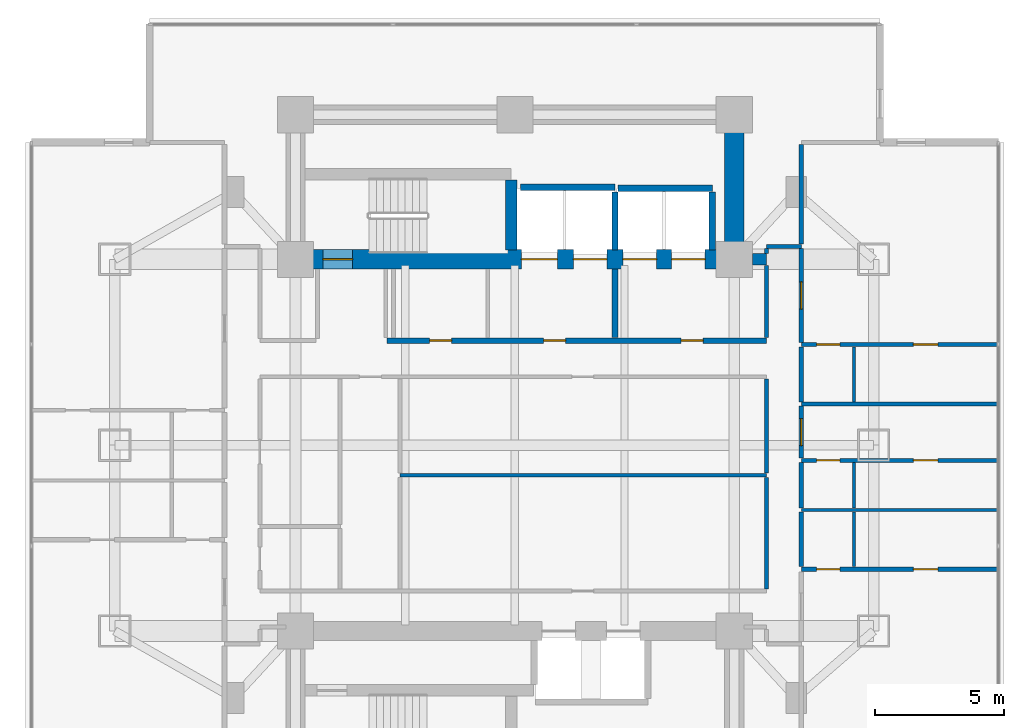
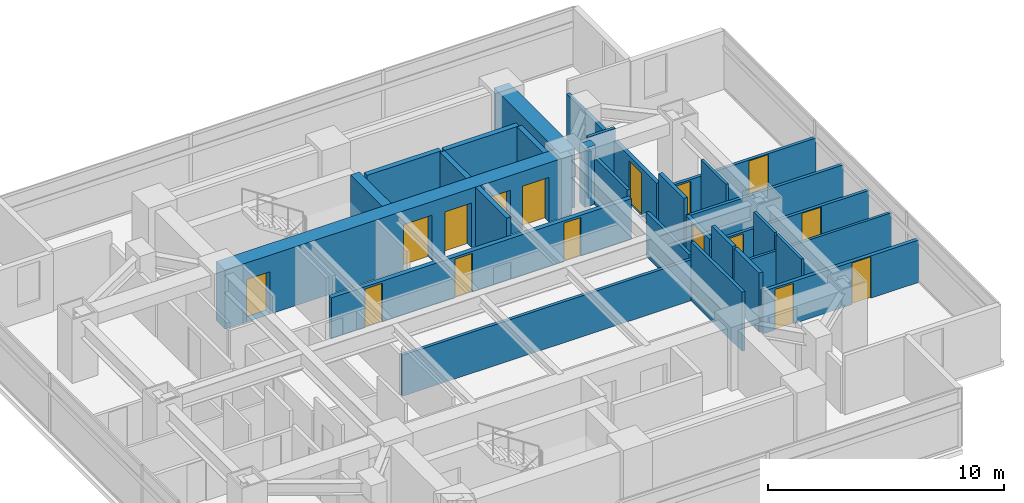
# One storey, part 18 of 25: 30 walls, 16 doors, 16 openings.
"""IFC4 building model written with IfcOpenShell, lengths in metres."""

from ifc_helpers import new_model, si_unit, direction, frame, frame_2d, origin, place, context, subcontext, project, spatial, rectangle, extrude, material, layer, layer_set, type_object, element, fill, save


model = new_model("IFC4")

# Units and contexts
model_context = context("Model", 3, precision=1e-05, world=origin(), true_north=direction((0.0, 1.0)))
body_context = subcontext(model_context, "Body", "Model", "MODEL_VIEW")
ifc_project = project(units=[si_unit("LENGTHUNIT", "METRE"), si_unit("AREAUNIT", "SQUARE_METRE"), si_unit("VOLUMEUNIT", "CUBIC_METRE"), si_unit("PLANEANGLEUNIT", "RADIAN"), si_unit("MASSUNIT", "GRAM", prefix="KILO")], contexts=[model_context])

# Site, building, storey
site_placement = place(None, origin())
site = spatial("IfcSite", under=ifc_project, at=site_placement, CompositionType="ELEMENT")
building_placement = place(site_placement, origin())
building = spatial("IfcBuilding", under=site, at=building_placement, Name="Mirazonda Arch Towers", CompositionType="ELEMENT")
storey_placement = place(building_placement, frame((0.0, 0.0, 35.60009765625)))
storey = spatial("IfcBuildingStorey", under=building, at=storey_placement, Name="L09", CompositionType="ELEMENT", Elevation=35.60009765625)

# Walls
ifc_material_1 = material(Name="Concrete C50/60", Category="concrete")
ifc_layer_1 = layer(ifc_material_1, 0.449951171875, Name="WALL-CORE-450")
ifc_layer_set_1 = layer_set([ifc_layer_1], Name="Concrete C50/60")
wall_type_1 = type_object("IfcWallType", Name="WALL-CORE-450", PredefinedType="SHEAR", material=ifc_layer_set_1)
wall_1_placement = place(storey_placement, frame((85.715087890625, 35.199951171875, 0.0), z_axis=(0.0, 0.0, 1.0), x_axis=(1.0, 0.0, 0.0)))
element("IfcWall", 1, at=wall_1_placement, inside=storey, type_object=wall_type_1, Name="L09 Stair Core Shear Wall 051", PredefinedType="SHEAR", context=body_context, shape_type="SweptSolid", body=[
    extrude(rectangle(XDim=0.534912109375, YDim=0.449951171875, at=frame_2d((0.267578125, 0.0))), origin(), (0.0, 0.0, 1.0), 3.059814453125),
])
wall_2_placement = place(storey_placement, frame((76.360107421875, 35.570068359375, 0.0), z_axis=(0.0, 0.0, 1.0), x_axis=(0.0, 1.0, 0.0)))
element("IfcWall", 2, at=wall_2_placement, inside=storey, type_object=wall_type_1, Name="L09 Stair Core Shear Wall 142", PredefinedType="SHEAR", context=body_context, shape_type="SweptSolid", body=[
    extrude(rectangle(XDim=2.69482421875, YDim=0.449951171875, at=frame_2d((1.347412109375, 0.0))), origin(), (0.0, 0.0, 1.0), 3.059814453125),
])
ifc_material_2 = material(Name="Concrete C60/75", Category="concrete")
ifc_layer_2 = layer(ifc_material_2, 0.75, Name="WALL-CORE-750")
ifc_layer_set_2 = layer_set([ifc_layer_2], Name="Concrete C60/75")
wall_type_2 = type_object("IfcWallType", Name="WALL-CORE-750", PredefinedType="SHEAR", material=ifc_layer_set_2)
wall_3_placement = place(storey_placement, frame((85.0, 35.199951171875, 0.0), z_axis=(0.0, 0.0, 1.0), x_axis=(0.0, 1.0, 0.0)))
element("IfcWall", 3, at=wall_3_placement, inside=storey, type_object=wall_type_2, Name="L09 T2N-E Core Shear Wall", PredefinedType="SHEAR", context=body_context, shape_type="SweptSolid", body=[
    extrude(rectangle(XDim=5.60009765625, YDim=0.75, at=frame_2d((2.800048828125, 0.0))), origin(), (0.0, 0.0, 1.0), 3.059814453125),
])

# Wall, openings, doors
wall_4_placement = place(storey_placement, frame((68.0, 35.199951171875, 0.0), z_axis=(0.0, 0.0, 1.0), x_axis=(1.0, 0.0, 0.0)))
wall_4 = element("IfcWall", 4, at=wall_4_placement, inside=storey, type_object=wall_type_2, Name="L09 T2N-S Core Shear Wall", PredefinedType="SHEAR", context=body_context, shape_type="SweptSolid", body=[
    extrude(rectangle(XDim=17.0, YDim=0.75, at=frame_2d((8.5, 0.0))), origin(), (0.0, 0.0, 1.0), 3.059814453125),
])
opening_1_placement = place(wall_4_placement, frame((1.06005859375, 0.0, 0.0)))
opening_1 = element("IfcOpeningElement", 5, at=opening_1_placement, cuts=wall_4, Name="Opening DR-135", PredefinedType="OPENING", context=body_context, shape_type="SweptSolid", body=[
    extrude(rectangle(XDim=1.14990234375, YDim=2.199951171875, at=frame_2d((0.574951171875, 1.10009765625))), frame((0.0, 0.385009765625, 0.0), z_axis=(0.0, -1.0, 0.0), x_axis=(1.0, 0.0, 0.0)), (0.0, 0.0, 1.0), 0.77001953125),
])
opening_2_placement = place(wall_4_placement, frame((8.75, 0.0, 0.0)))
opening_2 = element("IfcOpeningElement", 6, at=opening_2_placement, cuts=wall_4, Name="Opening LD-112", PredefinedType="OPENING", context=body_context, shape_type="SweptSolid", body=[
    extrude(rectangle(XDim=1.39990234375, YDim=2.35009765625, at=frame_2d((0.699951171875, 1.175048828125))), frame((0.0, 0.385009765625, 0.0), z_axis=(0.0, -1.0, 0.0), x_axis=(1.0, 0.0, 0.0)), (0.0, 0.0, 1.0), 0.77001953125),
])
opening_3_placement = place(wall_4_placement, frame((10.77001953125, 0.0, 0.0)))
opening_3 = element("IfcOpeningElement", 7, at=opening_3_placement, cuts=wall_4, Name="Opening LD-111", PredefinedType="OPENING", context=body_context, shape_type="SweptSolid", body=[
    extrude(rectangle(XDim=1.300048828125, YDim=2.300048828125, at=frame_2d((0.64990234375, 1.14990234375))), frame((0.0, 0.385009765625, 0.0), z_axis=(0.0, -1.0, 0.0), x_axis=(1.0, 0.0, 0.0)), (0.0, 0.0, 1.0), 0.77001953125),
])
opening_4_placement = place(wall_4_placement, frame((12.68994140625, 0.0, 0.0)))
opening_4 = element("IfcOpeningElement", 8, at=opening_4_placement, cuts=wall_4, Name="Opening LD-111", PredefinedType="OPENING", context=body_context, shape_type="SweptSolid", body=[
    extrude(rectangle(XDim=1.300048828125, YDim=2.300048828125, at=frame_2d((0.64990234375, 1.14990234375))), frame((0.0, 0.385009765625, 0.0), z_axis=(0.0, -1.0, 0.0), x_axis=(1.0, 0.0, 0.0)), (0.0, 0.0, 1.0), 0.77001953125),
])
opening_5_placement = place(wall_4_placement, frame((14.570068359375, 0.0, 0.0)))
opening_5 = element("IfcOpeningElement", 9, at=opening_5_placement, cuts=wall_4, Name="Opening LD-111", PredefinedType="OPENING", context=body_context, shape_type="SweptSolid", body=[
    extrude(rectangle(XDim=1.300048828125, YDim=2.300048828125, at=frame_2d((0.64990234375, 1.14990234375))), frame((0.0, 0.385009765625, 0.0), z_axis=(0.0, -1.0, 0.0), x_axis=(1.0, 0.0, 0.0)), (0.0, 0.0, 1.0), 0.77001953125),
])
ifc_material_3 = material(Name="Architectural Brushed Steel S355", Category="steel")
door_type_1 = type_object("IfcDoorType", Name="DOOR-LIFT-FFL-1400", OperationType="NOTDEFINED", PredefinedType="DOOR", material=ifc_material_3)
door_1_placement = place(opening_2_placement, origin())
door_1 = element("IfcDoor", 10, at=door_1_placement, inside=storey, type_object=door_type_1, Name="L09 Lift Landing Sliding Door FFL-T2", OperationType="DOUBLE_DOOR_SLIDING", OverallHeight=2.35009765625, OverallWidth=1.39990234375, PredefinedType="DOOR", context=body_context, shape_type="SweptSolid", body=[
    extrude(rectangle(XDim=1.39990234375, YDim=2.35009765625, at=frame_2d((0.699951171875, 1.175048828125))), frame((0.0, 0.02490234375, 0.0), z_axis=(0.0, -1.0, 0.0), x_axis=(1.0, 0.0, 0.0)), (0.0, 0.0, 1.0), 0.050048828125),
])
fill(opening_2, door_1)
door_type_2 = type_object("IfcDoorType", Name="DOOR-LIFT-LAND-1300", OperationType="NOTDEFINED", PredefinedType="DOOR", material=ifc_material_3)
door_2_placement = place(opening_3_placement, origin())
door_2 = element("IfcDoor", 11, at=door_2_placement, inside=storey, type_object=door_type_2, Name="L09 Lift Landing Sliding Door SVL-T2", OperationType="DOUBLE_DOOR_SLIDING", OverallHeight=2.300048828125, OverallWidth=1.300048828125, PredefinedType="DOOR", context=body_context, shape_type="SweptSolid", body=[
    extrude(rectangle(XDim=1.300048828125, YDim=2.300048828125, at=frame_2d((0.64990234375, 1.14990234375))), frame((0.0, 0.02490234375, 0.0), z_axis=(0.0, -1.0, 0.0), x_axis=(1.0, 0.0, 0.0)), (0.0, 0.0, 1.0), 0.050048828125),
])
fill(opening_3, door_2)
door_3_placement = place(opening_4_placement, origin())
door_3 = element("IfcDoor", 12, at=door_3_placement, inside=storey, type_object=door_type_2, Name="L09 Lift Landing Sliding Door PL-T2L1", OperationType="DOUBLE_DOOR_SLIDING", OverallHeight=2.300048828125, OverallWidth=1.300048828125, PredefinedType="DOOR", context=body_context, shape_type="SweptSolid", body=[
    extrude(rectangle(XDim=1.300048828125, YDim=2.300048828125, at=frame_2d((0.64990234375, 1.14990234375))), frame((0.0, 0.02490234375, 0.0), z_axis=(0.0, -1.0, 0.0), x_axis=(1.0, 0.0, 0.0)), (0.0, 0.0, 1.0), 0.050048828125),
])
fill(opening_4, door_3)
door_4_placement = place(opening_5_placement, origin())
door_4 = element("IfcDoor", 13, at=door_4_placement, inside=storey, type_object=door_type_2, Name="L09 Lift Landing Sliding Door PL-T2L2", OperationType="DOUBLE_DOOR_SLIDING", OverallHeight=2.300048828125, OverallWidth=1.300048828125, PredefinedType="DOOR", context=body_context, shape_type="SweptSolid", body=[
    extrude(rectangle(XDim=1.300048828125, YDim=2.300048828125, at=frame_2d((0.64990234375, 1.14990234375))), frame((0.0, 0.02490234375, 0.0), z_axis=(0.0, -1.0, 0.0), x_axis=(1.0, 0.0, 0.0)), (0.0, 0.0, 1.0), 0.050048828125),
])
fill(opening_5, door_4)
door_type_3 = type_object("IfcDoorType", Name="DOOR-STAIR-FD90-1150", OperationType="NOTDEFINED", PredefinedType="DOOR", material=ifc_material_3)
door_5_placement = place(opening_1_placement, origin())
door_5 = element("IfcDoor", 14, at=door_5_placement, inside=storey, type_object=door_type_3, Name="L09 East Protected Stair North Door", OperationType="SINGLE_SWING_RIGHT", OverallHeight=2.199951171875, OverallWidth=1.14990234375, PredefinedType="DOOR", context=body_context, shape_type="SweptSolid", body=[
    extrude(rectangle(XDim=1.14990234375, YDim=2.199951171875, at=frame_2d((0.574951171875, 1.10009765625))), frame((0.0, 0.02490234375, 0.0), z_axis=(0.0, -1.0, 0.0), x_axis=(1.0, 0.0, 0.0)), (0.0, 0.0, 1.0), 0.050048828125),
])
fill(opening_1, door_5)

ifc_material_4 = material(Name="Concrete C40/50", Category="concrete")
ifc_layer_3 = layer(ifc_material_4, 0.219970703125, Name="WALL-FFL-220")
ifc_layer_set_3 = layer_set([ifc_layer_3], Name="Concrete C40/50")
wall_type_3 = type_object("IfcWallType", Name="WALL-FFL-220", PredefinedType="SOLIDWALL", material=ifc_layer_set_3)
wall_5_placement = place(storey_placement, frame((71.550048828125, 32.050048828125, 0.0), z_axis=(0.0, 0.0, 1.0), x_axis=(1.0, 0.0, 0.0)))
wall_5 = element("IfcWall", 15, at=wall_5_placement, inside=storey, type_object=wall_type_3, Name="L09 Interior Partition 045", PredefinedType="SOLIDWALL", context=body_context, shape_type="SweptSolid", body=[
    extrude(rectangle(XDim=14.699951171875, YDim=0.219970703125, at=frame_2d((7.35009765625, 0.0))), origin(), (0.0, 0.0, 1.0), 2.125),
])
opening_6_placement = place(wall_5_placement, frame((11.389892578125, 0.0, 0.0)))
opening_6 = element("IfcOpeningElement", 16, at=opening_6_placement, cuts=wall_5, Name="Opening DR-128", PredefinedType="OPENING", context=body_context, shape_type="SweptSolid", body=[
    extrude(rectangle(XDim=0.85009765625, YDim=2.010009765625, at=frame_2d((0.425048828125, 1.0048828125))), frame((0.0, 0.119873046875, 0.0), z_axis=(0.0, -1.0, 0.0), x_axis=(1.0, 0.0, 0.0)), (0.0, 0.0, 1.0), 0.239990234375),
])
opening_7_placement = place(wall_5_placement, frame((6.06494140625, 0.0, 0.0)))
opening_7 = element("IfcOpeningElement", 17, at=opening_7_placement, cuts=wall_5, Name="Opening DR-128", PredefinedType="OPENING", context=body_context, shape_type="SweptSolid", body=[
    extrude(rectangle(XDim=0.85009765625, YDim=2.010009765625, at=frame_2d((0.425048828125, 1.0048828125))), frame((0.0, 0.119873046875, 0.0), z_axis=(0.0, -1.0, 0.0), x_axis=(1.0, 0.0, 0.0)), (0.0, 0.0, 1.0), 0.239990234375),
])
opening_8_placement = place(wall_5_placement, frame((1.64990234375, 0.0, 0.0)))
opening_8 = element("IfcOpeningElement", 18, at=opening_8_placement, cuts=wall_5, Name="Opening DR-128", PredefinedType="OPENING", context=body_context, shape_type="SweptSolid", body=[
    extrude(rectangle(XDim=0.85009765625, YDim=2.010009765625, at=frame_2d((0.425048828125, 1.0048828125))), frame((0.0, 0.119873046875, 0.0), z_axis=(0.0, -1.0, 0.0), x_axis=(1.0, 0.0, 0.0)), (0.0, 0.0, 1.0), 0.239990234375),
])
door_type_4 = type_object("IfcDoorType", Name="DOOR-RISER-FD60-850", OperationType="NOTDEFINED", PredefinedType="DOOR", material=ifc_material_3)
door_6_placement = place(opening_6_placement, origin())
door_6 = element("IfcDoor", 19, at=door_6_placement, inside=storey, type_object=door_type_4, Name="L09 East Passenger Lift Lobby Door", OperationType="SINGLE_SWING_LEFT", OverallHeight=2.010009765625, OverallWidth=0.85009765625, PredefinedType="DOOR", context=body_context, shape_type="SweptSolid", body=[
    extrude(rectangle(XDim=0.85009765625, YDim=2.010009765625, at=frame_2d((0.425048828125, 1.0048828125))), frame((0.0, 0.02490234375, 0.0), z_axis=(0.0, -1.0, 0.0), x_axis=(1.0, 0.0, 0.0)), (0.0, 0.0, 1.0), 0.050048828125),
])
fill(opening_6, door_6)
door_7_placement = place(opening_7_placement, origin())
door_7 = element("IfcDoor", 20, at=door_7_placement, inside=storey, type_object=door_type_4, Name="L09 East Firefighting Lift Lobby Door", OperationType="SINGLE_SWING_LEFT", OverallHeight=2.010009765625, OverallWidth=0.85009765625, PredefinedType="DOOR", context=body_context, shape_type="SweptSolid", body=[
    extrude(rectangle(XDim=0.85009765625, YDim=2.010009765625, at=frame_2d((0.425048828125, 1.0048828125))), frame((0.0, 0.02490234375, 0.0), z_axis=(0.0, -1.0, 0.0), x_axis=(1.0, 0.0, 0.0)), (0.0, 0.0, 1.0), 0.050048828125),
])
fill(opening_7, door_7)
door_8_placement = place(opening_8_placement, origin())
door_8 = element("IfcDoor", 21, at=door_8_placement, inside=storey, type_object=door_type_4, Name="L09 Tower 2 Housekeeping & Linen Room Door", OperationType="SINGLE_SWING_RIGHT", OverallHeight=2.010009765625, OverallWidth=0.85009765625, PredefinedType="DOOR", context=body_context, shape_type="SweptSolid", body=[
    extrude(rectangle(XDim=0.85009765625, YDim=2.010009765625, at=frame_2d((0.425048828125, 1.0048828125))), frame((0.0, 0.02490234375, 0.0), z_axis=(0.0, -1.0, 0.0), x_axis=(1.0, 0.0, 0.0)), (0.0, 0.0, 1.0), 0.050048828125),
])
fill(opening_8, door_8)

# Walls
wall_6_placement = place(storey_placement, frame((80.3798828125, 32.169921875, 0.0), z_axis=(0.0, 0.0, 1.0), x_axis=(0.0, 1.0, 0.0)))
element("IfcWall", 22, at=wall_6_placement, inside=storey, type_object=wall_type_3, Name="L09 Interior Partition 144", PredefinedType="SOLIDWALL", context=body_context, shape_type="SweptSolid", body=[
    extrude(rectangle(XDim=2.66015625, YDim=0.219970703125, at=frame_2d((1.330078125, 0.0))), origin(), (0.0, 0.0, 1.0), 3.059814453125),
])
ifc_material_5 = material(Name="Fire-Rated Gypsum Stud Partition")
ifc_layer_4 = layer(ifc_material_5, 0.14990234375, Name="WALL-PART-CORR-150")
ifc_layer_set_4 = layer_set([ifc_layer_4], Name="Fire-Rated Gypsum Stud Partition")
wall_type_4 = type_object("IfcWallType", Name="WALL-PART-CORR-150", PredefinedType="PARTITIONING", material=ifc_layer_set_4)
wall_7_placement = place(storey_placement, frame((72.050048828125, 26.83203125, 0.0), z_axis=(0.0, 0.0, 1.0), x_axis=(1.0, 0.0, 0.0)))
element("IfcWall", 23, at=wall_7_placement, inside=storey, type_object=wall_type_4, Name="L09 Interior Partition 033", PredefinedType="PARTITIONING", context=body_context, shape_type="SweptSolid", body=[
    extrude(rectangle(XDim=14.199951171875, YDim=0.14990234375, at=frame_2d((7.10009765625, 0.0))), origin(), (0.0, 0.0, 1.0), 2.125),
])

# Wall, openings, doors
wall_8_placement = place(storey_placement, frame((87.60009765625, 27.412109375, 0.0), z_axis=(0.0, 0.0, 1.0), x_axis=(1.0, 0.0, 0.0)))
wall_8 = element("IfcWall", 24, at=wall_8_placement, inside=storey, type_object=wall_type_4, Name="L09 Interior Partition 035", PredefinedType="PARTITIONING", context=body_context, shape_type="SweptSolid", body=[
    extrude(rectangle(XDim=7.6318359375, YDim=0.14990234375, at=frame_2d((3.81591796875, 0.0))), origin(), (0.0, 0.0, 1.0), 2.19580078125),
])
opening_9_placement = place(wall_8_placement, frame((4.341064453125, 0.0, 0.0)))
opening_9 = element("IfcOpeningElement", 25, at=opening_9_placement, cuts=wall_8, Name="Opening DR-104", PredefinedType="OPENING", context=body_context, shape_type="SweptSolid", body=[
    extrude(rectangle(XDim=0.949951171875, YDim=2.14990234375, at=frame_2d((0.47509765625, 1.074951171875))), frame((0.0, 0.0849609375, 0.0), z_axis=(0.0, -1.0, 0.0), x_axis=(1.0, 0.0, 0.0)), (0.0, 0.0, 1.0), 0.169921875),
])
opening_10_placement = place(wall_8_placement, frame((0.590087890625, 0.0, 0.0)))
opening_10 = element("IfcOpeningElement", 26, at=opening_10_placement, cuts=wall_8, Name="Opening DR-120", PredefinedType="OPENING", context=body_context, shape_type="SweptSolid", body=[
    extrude(rectangle(XDim=0.89990234375, YDim=2.10009765625, at=frame_2d((0.449951171875, 1.050048828125))), frame((0.0, 0.0849609375, 0.0), z_axis=(0.0, -1.0, 0.0), x_axis=(1.0, 0.0, 0.0)), (0.0, 0.0, 1.0), 0.169921875),
])
door_type_5 = type_object("IfcDoorType", Name="DOOR-ROOM-950", OperationType="NOTDEFINED", PredefinedType="DOOR", material=ifc_material_3)
door_9_placement = place(opening_9_placement, origin())
door_9 = element("IfcDoor", 27, at=door_9_placement, inside=storey, type_object=door_type_5, Name="L09 Guestroom Study 2 Door", OperationType="SINGLE_SWING_LEFT", OverallHeight=2.14990234375, OverallWidth=0.949951171875, PredefinedType="DOOR", context=body_context, shape_type="SweptSolid", body=[
    extrude(rectangle(XDim=0.949951171875, YDim=2.14990234375, at=frame_2d((0.47509765625, 1.074951171875))), frame((0.0, 0.02490234375, 0.0), z_axis=(0.0, -1.0, 0.0), x_axis=(1.0, 0.0, 0.0)), (0.0, 0.0, 1.0), 0.050048828125),
])
fill(opening_9, door_9)
door_type_6 = type_object("IfcDoorType", Name="DOOR-WC-900", OperationType="NOTDEFINED", PredefinedType="DOOR", material=ifc_material_3)
door_10_placement = place(opening_10_placement, origin())
door_10 = element("IfcDoor", 28, at=door_10_placement, inside=storey, type_object=door_type_6, Name="L09 En-Suite Bathroom 2 Door", OperationType="SINGLE_SWING_RIGHT", OverallHeight=2.10009765625, OverallWidth=0.89990234375, PredefinedType="DOOR", context=body_context, shape_type="SweptSolid", body=[
    extrude(rectangle(XDim=0.89990234375, YDim=2.10009765625, at=frame_2d((0.449951171875, 1.050048828125))), frame((0.0, 0.02490234375, 0.0), z_axis=(0.0, -1.0, 0.0), x_axis=(1.0, 0.0, 0.0)), (0.0, 0.0, 1.0), 0.050048828125),
])
fill(opening_10, door_10)

# Wall
wall_9_placement = place(storey_placement, frame((87.60009765625, 29.595947265625, 0.0), z_axis=(0.0, 0.0, 1.0), x_axis=(1.0, 0.0, 0.0)))
element("IfcWall", 29, at=wall_9_placement, inside=storey, type_object=wall_type_4, Name="L09 Interior Partition 039", PredefinedType="PARTITIONING", context=body_context, shape_type="SweptSolid", body=[
    extrude(rectangle(XDim=7.6318359375, YDim=0.14990234375, at=frame_2d((3.81591796875, 0.0))), origin(), (0.0, 0.0, 1.0), 2.19580078125),
])

# Wall, openings, doors
wall_10_placement = place(storey_placement, frame((87.60009765625, 31.89599609375, 0.0), z_axis=(0.0, 0.0, 1.0), x_axis=(1.0, 0.0, 0.0)))
wall_10 = element("IfcWall", 30, at=wall_10_placement, inside=storey, type_object=wall_type_4, Name="L09 Interior Partition 043", PredefinedType="PARTITIONING", context=body_context, shape_type="SweptSolid", body=[
    extrude(rectangle(XDim=7.6318359375, YDim=0.14990234375, at=frame_2d((3.81591796875, 0.0))), origin(), (0.0, 0.0, 1.0), 2.19580078125),
])
opening_11_placement = place(wall_10_placement, frame((4.341064453125, 0.0, 0.0)))
opening_11 = element("IfcOpeningElement", 31, at=opening_11_placement, cuts=wall_10, Name="Opening DR-104", PredefinedType="OPENING", context=body_context, shape_type="SweptSolid", body=[
    extrude(rectangle(XDim=0.949951171875, YDim=2.14990234375, at=frame_2d((0.47509765625, 1.074951171875))), frame((0.0, 0.0849609375, 0.0), z_axis=(0.0, -1.0, 0.0), x_axis=(1.0, 0.0, 0.0)), (0.0, 0.0, 1.0), 0.169921875),
])
opening_12_placement = place(wall_10_placement, frame((0.590087890625, 0.0, 0.0)))
opening_12 = element("IfcOpeningElement", 32, at=opening_12_placement, cuts=wall_10, Name="Opening DR-120", PredefinedType="OPENING", context=body_context, shape_type="SweptSolid", body=[
    extrude(rectangle(XDim=0.89990234375, YDim=2.10009765625, at=frame_2d((0.449951171875, 1.050048828125))), frame((0.0, 0.0849609375, 0.0), z_axis=(0.0, -1.0, 0.0), x_axis=(1.0, 0.0, 0.0)), (0.0, 0.0, 1.0), 0.169921875),
])
door_11_placement = place(opening_11_placement, origin())
door_11 = element("IfcDoor", 33, at=door_11_placement, inside=storey, type_object=door_type_5, Name="L09 Guestroom Study 3 Door", OperationType="SINGLE_SWING_RIGHT", OverallHeight=2.14990234375, OverallWidth=0.949951171875, PredefinedType="DOOR", context=body_context, shape_type="SweptSolid", body=[
    extrude(rectangle(XDim=0.949951171875, YDim=2.14990234375, at=frame_2d((0.47509765625, 1.074951171875))), frame((0.0, 0.02490234375, 0.0), z_axis=(0.0, -1.0, 0.0), x_axis=(1.0, 0.0, 0.0)), (0.0, 0.0, 1.0), 0.050048828125),
])
fill(opening_11, door_11)
door_12_placement = place(opening_12_placement, origin())
door_12 = element("IfcDoor", 34, at=door_12_placement, inside=storey, type_object=door_type_6, Name="L09 En-Suite Bathroom 3 Door", OperationType="SINGLE_SWING_LEFT", OverallHeight=2.10009765625, OverallWidth=0.89990234375, PredefinedType="DOOR", context=body_context, shape_type="SweptSolid", body=[
    extrude(rectangle(XDim=0.89990234375, YDim=2.10009765625, at=frame_2d((0.449951171875, 1.050048828125))), frame((0.0, 0.02490234375, 0.0), z_axis=(0.0, -1.0, 0.0), x_axis=(1.0, 0.0, 0.0)), (0.0, 0.0, 1.0), 0.050048828125),
])
fill(opening_12, door_12)

# Walls
wall_11_placement = place(storey_placement, frame((86.25, 35.699951171875, 0.0), z_axis=(0.0, 0.0, 1.0), x_axis=(1.0, 0.0, 0.0)))
element("IfcWall", 35, at=wall_11_placement, inside=storey, type_object=wall_type_4, Name="L09 Interior Partition 053", PredefinedType="PARTITIONING", context=body_context, shape_type="SweptSolid", body=[
    extrude(rectangle(XDim=1.35009765625, YDim=0.14990234375, at=frame_2d((0.675048828125, 0.0))), origin(), (0.0, 0.0, 1.0), 3.059814453125),
])
wall_12_placement = place(storey_placement, frame((86.25, 22.43505859375, 0.0), z_axis=(0.0, 0.0, 1.0), x_axis=(0.0, 1.0, 0.0)))
element("IfcWall", 36, at=wall_12_placement, inside=storey, type_object=wall_type_4, Name="L09 Interior Partition 149", PredefinedType="PARTITIONING", context=body_context, shape_type="SweptSolid", body=[
    extrude(rectangle(XDim=4.31201171875, YDim=0.14990234375, at=frame_2d((2.156005859375, 0.0))), origin(), (0.0, 0.0, 1.0), 3.059814453125),
])
wall_13_placement = place(storey_placement, frame((86.25, 26.9169921875, 0.0), z_axis=(0.0, 0.0, 1.0), x_axis=(0.0, 1.0, 0.0)))
element("IfcWall", 37, at=wall_13_placement, inside=storey, type_object=wall_type_4, Name="L09 Interior Partition 150", PredefinedType="PARTITIONING", context=body_context, shape_type="SweptSolid", body=[
    extrude(rectangle(XDim=3.64794921875, YDim=0.14990234375, at=frame_2d((1.823974609375, 0.0))), origin(), (0.0, 0.0, 1.0), 2.27880859375),
])
wall_14_placement = place(storey_placement, frame((86.25, 32.169921875, 0.0), z_axis=(0.0, 0.0, 1.0), x_axis=(0.0, 1.0, 0.0)))
element("IfcWall", 38, at=wall_14_placement, inside=storey, type_object=wall_type_4, Name="L09 Interior Partition 151", PredefinedType="PARTITIONING", context=body_context, shape_type="SweptSolid", body=[
    extrude(rectangle(XDim=2.795166015625, YDim=0.14990234375, at=frame_2d((1.3974609375, 0.0))), origin(), (0.0, 0.0, 1.0), 2.451904296875),
])
wall_15_placement = place(storey_placement, frame((86.25, 35.43505859375, 0.0), z_axis=(0.0, 0.0, 1.0), x_axis=(0.0, 1.0, 0.0)))
element("IfcWall", 39, at=wall_15_placement, inside=storey, type_object=wall_type_4, Name="L09 Interior Partition 152", PredefinedType="PARTITIONING", context=body_context, shape_type="SweptSolid", body=[
    extrude(rectangle(XDim=0.179931640625, YDim=0.14990234375, at=frame_2d((0.08984375, 0.0))), origin(), (0.0, 0.0, 1.0), 2.451904296875),
])

# Wall, openings, doors
ifc_material_6 = material(Name="Fire-Rated Gypsum Twin-Stud Assembly")
ifc_layer_5 = layer(ifc_material_6, 0.179931640625, Name="WALL-PART-DEMISE-180")
ifc_layer_set_5 = layer_set([ifc_layer_5], Name="Fire-Rated Gypsum Twin-Stud Assembly")
wall_type_5 = type_object("IfcWallType", Name="WALL-PART-DEMISE-180", PredefinedType="PARTITIONING", material=ifc_layer_set_5)
wall_16_placement = place(storey_placement, frame((87.60009765625, 23.19189453125, 0.0), z_axis=(0.0, 0.0, 1.0), x_axis=(1.0, 0.0, 0.0)))
wall_16 = element("IfcWall", 40, at=wall_16_placement, inside=storey, type_object=wall_type_5, Name="L09 Interior Partition 025", PredefinedType="PARTITIONING", context=body_context, shape_type="SweptSolid", body=[
    extrude(rectangle(XDim=7.6318359375, YDim=0.179931640625, at=frame_2d((3.81591796875, 0.0))), origin(), (0.0, 0.0, 1.0), 2.19580078125),
])
opening_13_placement = place(wall_16_placement, frame((4.341064453125, 0.0, 0.0)))
opening_13 = element("IfcOpeningElement", 41, at=opening_13_placement, cuts=wall_16, Name="Opening DR-104", PredefinedType="OPENING", context=body_context, shape_type="SweptSolid", body=[
    extrude(rectangle(XDim=0.949951171875, YDim=2.14990234375, at=frame_2d((0.47509765625, 1.074951171875))), frame((0.0, 0.099853515625, 0.0), z_axis=(0.0, -1.0, 0.0), x_axis=(1.0, 0.0, 0.0)), (0.0, 0.0, 1.0), 0.199951171875),
])
opening_14_placement = place(wall_16_placement, frame((0.590087890625, 0.0, 0.0)))
opening_14 = element("IfcOpeningElement", 42, at=opening_14_placement, cuts=wall_16, Name="Opening DR-120", PredefinedType="OPENING", context=body_context, shape_type="SweptSolid", body=[
    extrude(rectangle(XDim=0.89990234375, YDim=2.10009765625, at=frame_2d((0.449951171875, 1.050048828125))), frame((0.0, 0.099853515625, 0.0), z_axis=(0.0, -1.0, 0.0), x_axis=(1.0, 0.0, 0.0)), (0.0, 0.0, 1.0), 0.199951171875),
])
door_13_placement = place(opening_13_placement, origin())
door_13 = element("IfcDoor", 43, at=door_13_placement, inside=storey, type_object=door_type_5, Name="L09 Guestroom Study 1 Door", OperationType="SINGLE_SWING_RIGHT", OverallHeight=2.14990234375, OverallWidth=0.949951171875, PredefinedType="DOOR", context=body_context, shape_type="SweptSolid", body=[
    extrude(rectangle(XDim=0.949951171875, YDim=2.14990234375, at=frame_2d((0.47509765625, 1.074951171875))), frame((0.0, 0.02490234375, 0.0), z_axis=(0.0, -1.0, 0.0), x_axis=(1.0, 0.0, 0.0)), (0.0, 0.0, 1.0), 0.050048828125),
])
fill(opening_13, door_13)
door_14_placement = place(opening_14_placement, origin())
door_14 = element("IfcDoor", 44, at=door_14_placement, inside=storey, type_object=door_type_6, Name="L09 En-Suite Bathroom 1 Door", OperationType="SINGLE_SWING_LEFT", OverallHeight=2.10009765625, OverallWidth=0.89990234375, PredefinedType="DOOR", context=body_context, shape_type="SweptSolid", body=[
    extrude(rectangle(XDim=0.89990234375, YDim=2.10009765625, at=frame_2d((0.449951171875, 1.050048828125))), frame((0.0, 0.02490234375, 0.0), z_axis=(0.0, -1.0, 0.0), x_axis=(1.0, 0.0, 0.0)), (0.0, 0.0, 1.0), 0.050048828125),
])
fill(opening_14, door_14)

# Walls
wall_17_placement = place(storey_placement, frame((87.60009765625, 23.2919921875, 0.0), z_axis=(0.0, 0.0, 1.0), x_axis=(0.0, 1.0, 0.0)))
element("IfcWall", 45, at=wall_17_placement, inside=storey, type_object=wall_type_5, Name="L09 Interior Partition 155", PredefinedType="PARTITIONING", context=body_context, shape_type="SweptSolid", body=[
    extrude(rectangle(XDim=2.12744140625, YDim=0.179931640625, at=frame_2d((1.063720703125, 0.0))), origin(), (0.0, 0.0, 1.0), 3.059814453125),
])
wall_18_placement = place(storey_placement, frame((87.60009765625, 25.564453125, 0.0), z_axis=(0.0, 0.0, 1.0), x_axis=(0.0, 1.0, 0.0)))
element("IfcWall", 46, at=wall_18_placement, inside=storey, type_object=wall_type_5, Name="L09 Interior Partition 156", PredefinedType="PARTITIONING", context=body_context, shape_type="SweptSolid", body=[
    extrude(rectangle(XDim=1.762451171875, YDim=0.179931640625, at=frame_2d((0.88134765625, 0.0))), origin(), (0.0, 0.0, 1.0), 3.059814453125),
])

# Wall, opening, door
wall_19_placement = place(storey_placement, frame((87.60009765625, 27.4970703125, 0.0), z_axis=(0.0, 0.0, 1.0), x_axis=(0.0, 1.0, 0.0)))
wall_19 = element("IfcWall", 47, at=wall_19_placement, inside=storey, type_object=wall_type_5, Name="L09 Interior Partition 157", PredefinedType="PARTITIONING", context=body_context, shape_type="SweptSolid", body=[
    extrude(rectangle(XDim=2.013916015625, YDim=0.179931640625, at=frame_2d((1.0068359375, 0.0))), origin(), (0.0, 0.0, 1.0), 2.27880859375),
])
opening_15_placement = place(wall_19_placement, frame((0.48193359375, 0.0, 0.0)))
opening_15 = element("IfcOpeningElement", 48, at=opening_15_placement, cuts=wall_19, Name="Opening DR-121", PredefinedType="OPENING", context=body_context, shape_type="SweptSolid", body=[
    extrude(rectangle(XDim=1.050048828125, YDim=2.199951171875, at=frame_2d((0.52490234375, 1.10009765625))), frame((0.0, 0.099853515625, 0.0), z_axis=(0.0, -1.0, 0.0), x_axis=(1.0, 0.0, 0.0)), (0.0, 0.0, 1.0), 0.199951171875),
])
door_type_7 = type_object("IfcDoorType", Name="DOOR-SUITE-FD60-1050", OperationType="NOTDEFINED", PredefinedType="DOOR", material=ifc_material_3)
door_15_placement = place(opening_15_placement, origin())
door_15 = element("IfcDoor", 49, at=door_15_placement, inside=storey, type_object=door_type_7, Name="L09 Twin Hotel Guestroom 2 Door", OperationType="SINGLE_SWING_RIGHT", OverallHeight=2.199951171875, OverallWidth=1.050048828125, PredefinedType="DOOR", context=body_context, shape_type="SweptSolid", body=[
    extrude(rectangle(XDim=1.050048828125, YDim=2.199951171875, at=frame_2d((0.52490234375, 1.10009765625))), frame((0.0, 0.02490234375, 0.0), z_axis=(0.0, -1.0, 0.0), x_axis=(1.0, 0.0, 0.0)), (0.0, 0.0, 1.0), 0.050048828125),
])
fill(opening_15, door_15)

# Wall
wall_20_placement = place(storey_placement, frame((87.60009765625, 29.680908203125, 0.0), z_axis=(0.0, 0.0, 1.0), x_axis=(0.0, 1.0, 0.0)))
element("IfcWall", 50, at=wall_20_placement, inside=storey, type_object=wall_type_5, Name="L09 Interior Partition 158", PredefinedType="PARTITIONING", context=body_context, shape_type="SweptSolid", body=[
    extrude(rectangle(XDim=2.130126953125, YDim=0.179931640625, at=frame_2d((1.06494140625, 0.0))), origin(), (0.0, 0.0, 1.0), 3.059814453125),
])

# Wall, opening, door
wall_21_placement = place(storey_placement, frame((87.60009765625, 31.98095703125, 0.0), z_axis=(0.0, 0.0, 1.0), x_axis=(0.0, 1.0, 0.0)))
wall_21 = element("IfcWall", 51, at=wall_21_placement, inside=storey, type_object=wall_type_5, Name="L09 Interior Partition 159", PredefinedType="PARTITIONING", context=body_context, shape_type="SweptSolid", body=[
    extrude(rectangle(XDim=3.634033203125, YDim=0.179931640625, at=frame_2d((1.81689453125, 0.0))), origin(), (0.0, 0.0, 1.0), 2.451904296875),
])
opening_16_placement = place(wall_21_placement, frame((1.2919921875, 0.0, 0.0)))
opening_16 = element("IfcOpeningElement", 52, at=opening_16_placement, cuts=wall_21, Name="Opening DR-121", PredefinedType="OPENING", context=body_context, shape_type="SweptSolid", body=[
    extrude(rectangle(XDim=1.050048828125, YDim=2.199951171875, at=frame_2d((0.52490234375, 1.10009765625))), frame((0.0, 0.099853515625, 0.0), z_axis=(0.0, -1.0, 0.0), x_axis=(1.0, 0.0, 0.0)), (0.0, 0.0, 1.0), 0.199951171875),
])
door_16_placement = place(opening_16_placement, origin())
door_16 = element("IfcDoor", 53, at=door_16_placement, inside=storey, type_object=door_type_7, Name="L09 King Hotel Guestroom 3 Door", OperationType="SINGLE_SWING_LEFT", OverallHeight=2.199951171875, OverallWidth=1.050048828125, PredefinedType="DOOR", context=body_context, shape_type="SweptSolid", body=[
    extrude(rectangle(XDim=1.050048828125, YDim=2.199951171875, at=frame_2d((0.52490234375, 1.10009765625))), frame((0.0, 0.02490234375, 0.0), z_axis=(0.0, -1.0, 0.0), x_axis=(1.0, 0.0, 0.0)), (0.0, 0.0, 1.0), 0.050048828125),
])
fill(opening_16, door_16)

# Walls
wall_22_placement = place(storey_placement, frame((87.60009765625, 35.784912109375, 0.0), z_axis=(0.0, 0.0, 1.0), x_axis=(0.0, 1.0, 0.0)))
element("IfcWall", 54, at=wall_22_placement, inside=storey, type_object=wall_type_5, Name="L09 Interior Partition 160", PredefinedType="PARTITIONING", context=body_context, shape_type="SweptSolid", body=[
    extrude(rectangle(XDim=3.863037109375, YDim=0.179931640625, at=frame_2d((1.931640625, 0.0))), origin(), (0.0, 0.0, 1.0), 2.435791015625),
])
ifc_material_7 = material(Name="Acoustic Fire-Rated Gypsum Partition")
ifc_layer_6 = layer(ifc_material_7, 0.125, Name="WALL-PART-UNIT-125")
ifc_layer_set_6 = layer_set([ifc_layer_6], Name="Acoustic Fire-Rated Gypsum Partition")
wall_type_6 = type_object("IfcWallType", Name="WALL-PART-UNIT-125", PredefinedType="PARTITIONING", material=ifc_layer_set_6)
wall_23_placement = place(storey_placement, frame((87.60009765625, 25.491943359375, 0.0), z_axis=(0.0, 0.0, 1.0), x_axis=(1.0, 0.0, 0.0)))
element("IfcWall", 55, at=wall_23_placement, inside=storey, type_object=wall_type_6, Name="L09 Interior Partition 030", PredefinedType="PARTITIONING", context=body_context, shape_type="SweptSolid", body=[
    extrude(rectangle(XDim=7.6318359375, YDim=0.125, at=frame_2d((3.81591796875, 0.0))), origin(), (0.0, 0.0, 1.0), 2.19580078125),
])
wall_24_placement = place(storey_placement, frame((89.639892578125, 23.2919921875, 0.0), z_axis=(0.0, 0.0, 1.0), x_axis=(0.0, 1.0, 0.0)))
element("IfcWall", 56, at=wall_24_placement, inside=storey, type_object=wall_type_6, Name="L09 Interior Partition 161", PredefinedType="PARTITIONING", context=body_context, shape_type="SweptSolid", body=[
    extrude(rectangle(XDim=2.12744140625, YDim=0.125, at=frame_2d((1.063720703125, 0.0))), origin(), (0.0, 0.0, 1.0), 3.059814453125),
])
wall_25_placement = place(storey_placement, frame((89.639892578125, 25.564453125, 0.0), z_axis=(0.0, 0.0, 1.0), x_axis=(0.0, 1.0, 0.0)))
element("IfcWall", 57, at=wall_25_placement, inside=storey, type_object=wall_type_6, Name="L09 Interior Partition 162", PredefinedType="PARTITIONING", context=body_context, shape_type="SweptSolid", body=[
    extrude(rectangle(XDim=1.762451171875, YDim=0.125, at=frame_2d((0.88134765625, 0.0))), origin(), (0.0, 0.0, 1.0), 3.059814453125),
])
wall_26_placement = place(storey_placement, frame((89.639892578125, 29.680908203125, 0.0), z_axis=(0.0, 0.0, 1.0), x_axis=(0.0, 1.0, 0.0)))
element("IfcWall", 58, at=wall_26_placement, inside=storey, type_object=wall_type_6, Name="L09 Interior Partition 163", PredefinedType="PARTITIONING", context=body_context, shape_type="SweptSolid", body=[
    extrude(rectangle(XDim=2.130126953125, YDim=0.125, at=frame_2d((1.06494140625, 0.0))), origin(), (0.0, 0.0, 1.0), 3.059814453125),
])
ifc_layer_7 = layer(ifc_material_4, 0.25, Name="WALL-SHAFT-250")
ifc_layer_set_7 = layer_set([ifc_layer_7], Name="Concrete C40/50")
wall_type_7 = type_object("IfcWallType", Name="WALL-SHAFT-250", PredefinedType="SOLIDWALL", material=ifc_layer_set_7)
wall_27_placement = place(storey_placement, frame((80.5, 37.949951171875, 0.0), z_axis=(0.0, 0.0, 1.0), x_axis=(1.0, 0.0, 0.0)))
element("IfcWall", 59, at=wall_27_placement, inside=storey, type_object=wall_type_7, Name="L09 Interior Partition 054", PredefinedType="SOLIDWALL", context=body_context, shape_type="SweptSolid", body=[
    extrude(rectangle(XDim=3.64990234375, YDim=0.25, at=frame_2d((1.824951171875, 0.0))), origin(), (0.0, 0.0, 1.0), 3.059814453125),
])
wall_28_placement = place(storey_placement, frame((76.719970703125, 38.0, 0.0), z_axis=(0.0, 0.0, 1.0), x_axis=(1.0, 0.0, 0.0)))
element("IfcWall", 60, at=wall_28_placement, inside=storey, type_object=wall_type_7, Name="L09 Interior Partition 055", PredefinedType="SOLIDWALL", context=body_context, shape_type="SweptSolid", body=[
    extrude(rectangle(XDim=3.659912109375, YDim=0.25, at=frame_2d((1.830078125, 0.0))), origin(), (0.0, 0.0, 1.0), 3.059814453125),
])
for number, where, z_axis, x_axis, name in (
    (61, (80.3798828125, 35.570068359375, 0.0), (0.0, 0.0, 1.0), (0.0, 1.0, 0.0), "L09 Interior Partition 145"),
    (62, (84.14990234375, 35.570068359375, 0.0), (0.0, 0.0, 1.0), (0.0, 1.0, 0.0), "L09 Interior Partition 147"),
):
    element("IfcWall", number, at=place(storey_placement, frame(where, z_axis=z_axis, x_axis=x_axis)), inside=storey, type_object=wall_type_7, Name=name, PredefinedType="SOLIDWALL", context=body_context, shape_type="SweptSolid", body=[
        extrude(rectangle(XDim=2.244873046875, YDim=0.25, at=frame_2d((1.12255859375, 0.0))), origin(), (0.0, 0.0, 1.0), 3.059814453125),
    ])

save(model, "model.ifc")
